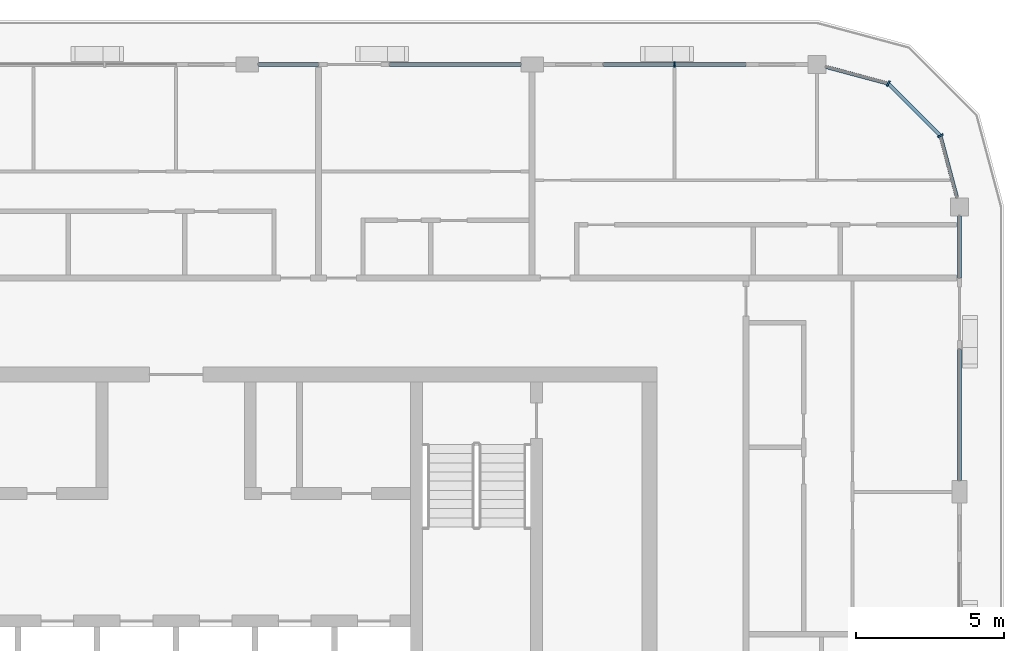
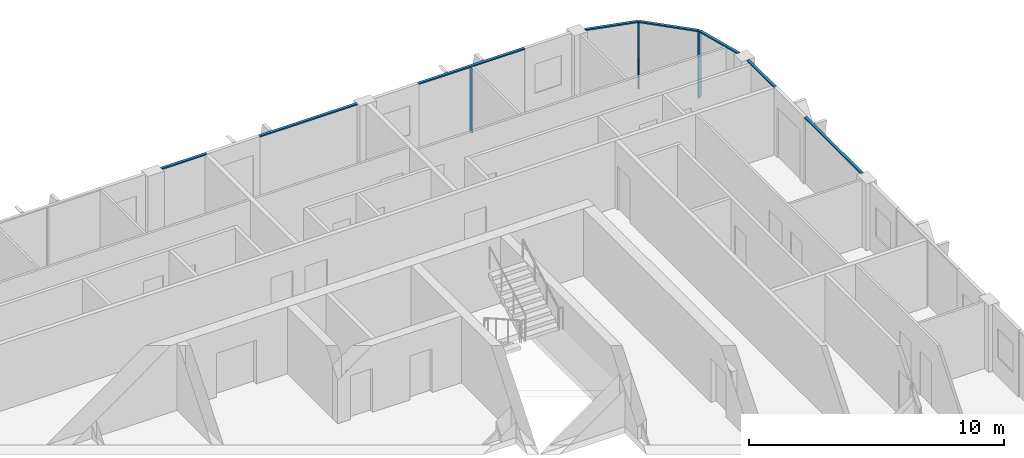
# One storey, part 6 of 21: 11 members, 4 elements without a shape of their own.
"""IFC4 building model written with IfcOpenShell, lengths in metres."""

from ifc_helpers import new_model, si_unit, direction, frame, origin, origin_2d, place, context, subcontext, project, spatial, rectangle, extrude, material, layer, layer_set, material_profile, profile_set, type_object, element, aggregate, save


model = new_model("IFC4")

# Units and contexts
model_context = context("Model", 3, precision=1e-05, world=origin(), true_north=direction((0.0, 1.0)))
body_context = subcontext(model_context, "Body", "Model", "MODEL_VIEW")
ifc_project = project(units=[si_unit("LENGTHUNIT", "METRE"), si_unit("AREAUNIT", "SQUARE_METRE"), si_unit("VOLUMEUNIT", "CUBIC_METRE"), si_unit("PLANEANGLEUNIT", "RADIAN"), si_unit("MASSUNIT", "GRAM", prefix="KILO")], contexts=[model_context])

# Site, building, storey
site_placement = place(None, origin())
site = spatial("IfcSite", under=ifc_project, at=site_placement, CompositionType="ELEMENT")
building_placement = place(site_placement, origin())
building = spatial("IfcBuilding", under=site, at=building_placement, Name="Madar Terraces", CompositionType="ELEMENT")
storey_placement = place(building_placement, frame((0.0, 0.0, 268.60009765625)))
storey = spatial("IfcBuildingStorey", under=building, at=storey_placement, Name="L70", CompositionType="ELEMENT", Elevation=268.60009765625)

# Curtain wall, member
ifc_material_1 = material(Name="Glass, ceramic frit dark grey, with black aluminium frame", Category="aluminium")
ifc_layer = layer(ifc_material_1, 0.199951171875)
ifc_layer_set = layer_set([ifc_layer], Name="Facade curtain wall, fritted glass")
curtain_wall_type = type_object("IfcCurtainWallType", Name="Facade curtain wall, fritted glass", PredefinedType="NOTDEFINED", material=ifc_layer_set)
curtain_wall_1_placement = place(storey_placement, origin())
curtain_wall_1 = element("IfcCurtainWall", 1, at=curtain_wall_1_placement, inside=storey, type_object=curtain_wall_type, Name="Outer skin curtain wall north bay 1", PredefinedType="NOTDEFINED")
ifc_material_2 = material(Name="Aluminium, black anodised", Category="aluminium")
ifc_material_profile_1 = material_profile(ifc_material_2, rectangle(XDim=0.199951171875, YDim=0.06005859375, at=origin_2d()), Name="Facade mullion 60x200")
ifc_profile_set_1 = profile_set([ifc_material_profile_1], Name="Aluminium, black anodised")
member_type_1 = type_object("IfcMemberType", Name="Facade mullion 60x200", PredefinedType="MULLION", material=ifc_profile_set_1)
member_1_placement = place(storey_placement, frame((48.0, 48.0, 0.0), z_axis=(0.0, 0.0, 1.0), x_axis=(0.0, -1.0, 0.0)))
member_1 = element("IfcMember", 2, at=member_1_placement, type_object=member_type_1, Name="Mullion 1", PredefinedType="MULLION", context=body_context, shape_type="SweptSolid", body=[
    extrude(rectangle(XDim=0.199951171875, YDim=0.06005859375, at=origin_2d()), origin(), (0.0, 0.0, 1.0), 3.139892578125),
])

# Curtain wall, members
curtain_wall_2_placement = place(storey_placement, origin())
curtain_wall_2 = element("IfcCurtainWall", 3, at=curtain_wall_2_placement, inside=storey, type_object=curtain_wall_type, Name="Outer skin curtain wall north-east corner", PredefinedType="NOTDEFINED")
member_2_placement = place(storey_placement, frame((56.95703125, 45.60009765625, 0.0), z_axis=(0.0, 0.0, 1.0), x_axis=(-0.866025409797, -0.499999989586, 0.0)))
member_2 = element("IfcMember", 4, at=member_2_placement, type_object=member_type_1, Name="Mullion 1", PredefinedType="MULLION", context=body_context, shape_type="SweptSolid", body=[
    extrude(rectangle(XDim=0.199951171875, YDim=0.06005859375, at=origin_2d()), origin(), (0.0, 0.0, 1.0), 3.139892578125),
])
member_3_placement = place(storey_placement, frame((55.199951171875, 47.35693359375, 0.0), z_axis=(0.0, 0.0, 1.0), x_axis=(-0.499999989586, -0.866025409797, 0.0)))
member_3 = element("IfcMember", 5, at=member_3_placement, type_object=member_type_1, Name="Mullion 2", PredefinedType="MULLION", context=body_context, shape_type="SweptSolid", body=[
    extrude(rectangle(XDim=0.199951171875, YDim=0.06005859375, at=origin_2d()), origin(), (0.0, 0.0, 1.0), 3.139892578125),
])

curtain_wall_3_placement = place(storey_placement, origin())
curtain_wall_3 = element("IfcCurtainWall", 6, at=curtain_wall_3_placement, inside=storey, type_object=curtain_wall_type, Name="Outer skin curtain wall east bay 4", PredefinedType="NOTDEFINED")
ifc_material_3 = material(Name="Aluminium, black anodised", Category="aluminium")
ifc_material_profile_2 = material_profile(ifc_material_3, rectangle(XDim=0.1201171875, YDim=0.06005859375, at=origin_2d()), Name="Facade transom 60x120")
ifc_profile_set_2 = profile_set([ifc_material_profile_2], Name="Aluminium, black anodised")
member_type_2 = type_object("IfcMemberType", Name="Facade transom 60x120", PredefinedType="USERDEFINED", material=ifc_profile_set_2)
member_4_placement = place(storey_placement, frame((57.60009765625, 33.97509765625, 3.169921875), z_axis=(0.0, 1.0, 0.0), x_axis=(-1.0, 0.0, 0.0)))
member_4 = element("IfcMember", 7, at=member_4_placement, type_object=member_type_2, Name="Transom 1", ObjectType="TRANSOM", PredefinedType="USERDEFINED", context=body_context, shape_type="SweptSolid", body=[
    extrude(rectangle(XDim=0.1201171875, YDim=0.06005859375, at=origin_2d()), origin(), (0.0, 0.0, 1.0), 4.4248046875),
])
member_5_placement = place(storey_placement, frame((57.60009765625, 40.800048828125, 3.169921875), z_axis=(0.0, 1.0, 0.0), x_axis=(-1.0, 0.0, 0.0)))
member_5 = element("IfcMember", 8, at=member_5_placement, type_object=member_type_2, Name="Transom 2", ObjectType="TRANSOM", PredefinedType="USERDEFINED", context=body_context, shape_type="SweptSolid", body=[
    extrude(rectangle(XDim=0.1201171875, YDim=0.06005859375, at=origin_2d()), origin(), (0.0, 0.0, 1.0), 2.099853515625),
])
aggregate(curtain_wall_3, [member_4, member_5])

# Member
member_6_placement = place(storey_placement, frame((50.39990234375, 48.0, 3.169921875), z_axis=(-1.0, 0.0, 0.0), x_axis=(0.0, -1.0, 0.0)))
member_6 = element("IfcMember", 9, at=member_6_placement, type_object=member_type_2, Name="Transom 1", ObjectType="TRANSOM", PredefinedType="USERDEFINED", context=body_context, shape_type="SweptSolid", body=[
    extrude(rectangle(XDim=0.1201171875, YDim=0.06005859375, at=origin_2d()), origin(), (0.0, 0.0, 1.0), 4.7998046875),
])

aggregate(curtain_wall_1, [member_1, member_6])

# Curtain wall, members
curtain_wall_4_placement = place(storey_placement, origin())
curtain_wall_4 = element("IfcCurtainWall", 10, at=curtain_wall_4_placement, inside=storey, type_object=curtain_wall_type, Name="Outer skin curtain wall north bay 2", PredefinedType="NOTDEFINED")
member_7_placement = place(storey_placement, frame((42.824951171875, 48.0, 3.169921875), z_axis=(-1.0, 0.0, 0.0), x_axis=(0.0, -1.0, 0.0)))
member_7 = element("IfcMember", 11, at=member_7_placement, type_object=member_type_2, Name="Transom 1", ObjectType="TRANSOM", PredefinedType="USERDEFINED", context=body_context, shape_type="SweptSolid", body=[
    extrude(rectangle(XDim=0.1201171875, YDim=0.06005859375, at=origin_2d()), origin(), (0.0, 0.0, 1.0), 4.425048828125),
])
member_8_placement = place(storey_placement, frame((36.0, 48.0, 3.169921875), z_axis=(-1.0, 0.0, 0.0), x_axis=(0.0, -1.0, 0.0)))
member_8 = element("IfcMember", 12, at=member_8_placement, type_object=member_type_2, Name="Transom 2", ObjectType="TRANSOM", PredefinedType="USERDEFINED", context=body_context, shape_type="SweptSolid", body=[
    extrude(rectangle(XDim=0.1201171875, YDim=0.06005859375, at=origin_2d()), origin(), (0.0, 0.0, 1.0), 2.02490234375),
])
aggregate(curtain_wall_4, [member_7, member_8])

# Member
member_9_placement = place(storey_placement, frame((57.51953125, 43.5, 3.169921875), z_axis=(-0.258817664066, 0.965926196336, 0.0), x_axis=(-0.965926196336, -0.258817664066, 0.0)))
member_9 = element("IfcMember", 13, at=member_9_placement, type_object=member_type_2, Name="Transom 1", ObjectType="TRANSOM", PredefinedType="USERDEFINED", context=body_context, shape_type="SweptSolid", body=[
    extrude(rectangle(XDim=0.1201171875, YDim=0.06005859375, at=origin_2d()), origin(), (0.0, 0.0, 1.0), 2.14404296875),
])

member_10_placement = place(storey_placement, frame((56.935791015625, 45.62109375, 3.169921875), z_axis=(-0.707106781187, 0.707106781187, 0.0), x_axis=(-0.707106781187, -0.707106781187, 0.0)))
member_10 = element("IfcMember", 14, at=member_10_placement, type_object=member_type_2, Name="Transom 2", ObjectType="TRANSOM", PredefinedType="USERDEFINED", context=body_context, shape_type="SweptSolid", body=[
    extrude(rectangle(XDim=0.1201171875, YDim=0.06005859375, at=origin_2d()), origin(), (0.0, 0.0, 1.0), 2.4248046875),
])

member_11_placement = place(storey_placement, frame((55.171142578125, 47.36474609375, 3.169921875), z_axis=(-0.965926196336, 0.258817664066, 0.0), x_axis=(-0.258817664066, -0.965926196336, 0.0)))
member_11 = element("IfcMember", 15, at=member_11_placement, type_object=member_type_2, Name="Transom 3", ObjectType="TRANSOM", PredefinedType="USERDEFINED", context=body_context, shape_type="SweptSolid", body=[
    extrude(rectangle(XDim=0.1201171875, YDim=0.06005859375, at=origin_2d()), origin(), (0.0, 0.0, 1.0), 2.14404296875),
])

aggregate(curtain_wall_2, [member_2, member_9, member_3, member_10, member_11])

save(model, "model.ifc")
